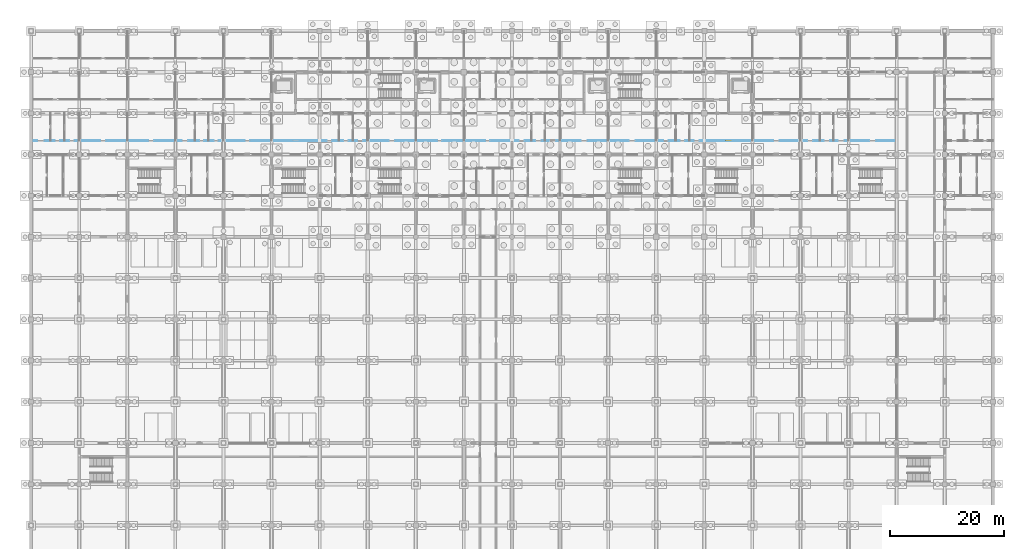
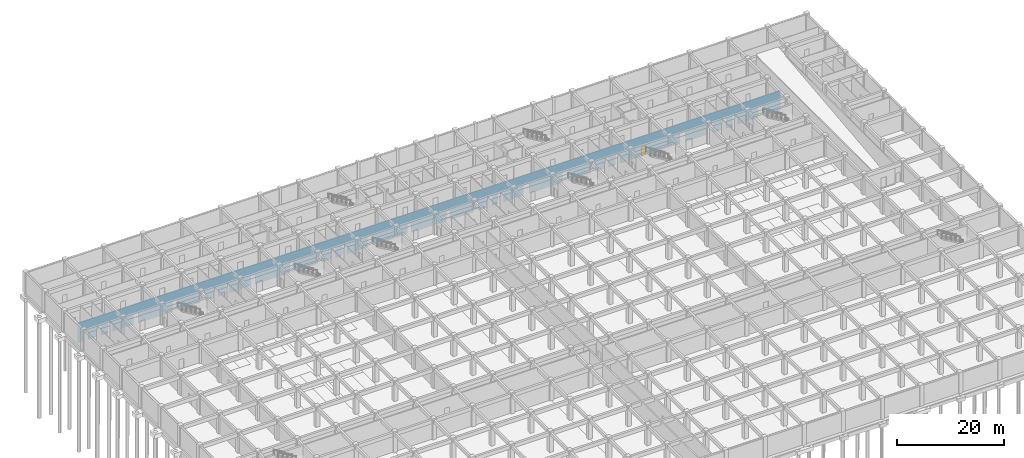
# One storey, part 65 of 85: 1 door, 30 openings, plus 1 element that does not belong to this part.
"""IFC4 building model written with IfcOpenShell, lengths in metres."""

from ifc_helpers import new_model, si_unit, direction, frame, frame_2d, origin, place, context, subcontext, project, spatial, rectangle, extrude, material, layer, layer_set, type_object, element, fill, save


model = new_model("IFC4")

# Units and contexts
model_context = context("Model", 3, precision=1e-05, world=origin(), true_north=direction((0.0, 1.0)))
body_context = subcontext(model_context, "Body", "Model", "MODEL_VIEW")
ifc_project = project(units=[si_unit("LENGTHUNIT", "METRE"), si_unit("AREAUNIT", "SQUARE_METRE"), si_unit("VOLUMEUNIT", "CUBIC_METRE"), si_unit("PLANEANGLEUNIT", "RADIAN"), si_unit("MASSUNIT", "GRAM", prefix="KILO")], contexts=[model_context])

# Site, building, storey
site_placement = place(None, origin())
site = spatial("IfcSite", under=ifc_project, at=site_placement, CompositionType="ELEMENT")
building_placement = place(site_placement, origin())
building = spatial("IfcBuilding", under=site, at=building_placement, Name="Chengyuan Square Courthouse", CompositionType="ELEMENT")
storey_placement = place(building_placement, frame((0.0, 0.0, -10.199951171875)))
storey = spatial("IfcBuildingStorey", under=building, at=storey_placement, Name="B02", CompositionType="ELEMENT", Elevation=-10.199951171875)

# Wall, openings, door
ifc_material_1 = material(Name="Gypsum Plasterboard Acoustic Stud Partition")
ifc_layer = layer(ifc_material_1, 0.10009765625)
ifc_layer_set = layer_set([ifc_layer], Name="Gypsum Plasterboard Acoustic Stud Partition")
wall_type = type_object("IfcWallType", Name="WL-PT6", PredefinedType="STANDARD", material=ifc_layer_set)
wall_placement = place(storey_placement, frame((0.0400390625, 96.0, 0.0), z_axis=(0.0, 0.0, 1.0), x_axis=(1.0, 0.0, 0.0)))
wall = element("IfcWall", 1, at=wall_placement, inside=storey, type_object=wall_type, Name="Interior Wall WL-B02-I062", PredefinedType="STANDARD", context=body_context, shape_type="SweptSolid", body=[
    extrude(rectangle(XDim=151.159912109375, YDim=0.10009765625, at=frame_2d((75.580078125, 0.0))), origin(), (0.0, 0.0, 1.0), 4.47998046875),
])
opening_1_placement = place(wall_placement, frame((1.0400390625, 0.0, 0.0)))
element("IfcOpeningElement", 2, at=opening_1_placement, cuts=wall, Name="Opening DR-148", PredefinedType="OPENING", context=body_context, shape_type="SweptSolid", body=[
    extrude(rectangle(XDim=1.280029296875, YDim=2.35009765625, at=frame_2d((0.64013671875, 1.175048828125))), frame((0.0, 0.06201171875, 0.0), z_axis=(0.0, -1.0, 0.0), x_axis=(1.0, 0.0, 0.0)), (0.0, 0.0, 1.0), 0.1240234375),
])
opening_2_placement = place(wall_placement, frame((4.090087890625, 0.0, 0.0)))
element("IfcOpeningElement", 3, at=opening_2_placement, cuts=wall, Name="Opening DR-149", PredefinedType="OPENING", context=body_context, shape_type="SweptSolid", body=[
    extrude(rectangle(XDim=0.93994140625, YDim=2.300048828125, at=frame_2d((0.469970703125, 1.14990234375))), frame((0.0, 0.06201171875, 0.0), z_axis=(0.0, -1.0, 0.0), x_axis=(1.0, 0.0, 0.0)), (0.0, 0.0, 1.0), 0.1240234375),
])
opening_3_placement = place(wall_placement, frame((6.570068359375, 0.0, 0.0)))
element("IfcOpeningElement", 4, at=opening_3_placement, cuts=wall, Name="Opening DR-150", PredefinedType="OPENING", context=body_context, shape_type="SweptSolid", body=[
    extrude(rectangle(XDim=0.97998046875, YDim=2.35009765625, at=frame_2d((0.489990234375, 1.175048828125))), frame((0.0, 0.06201171875, 0.0), z_axis=(0.0, -1.0, 0.0), x_axis=(1.0, 0.0, 0.0)), (0.0, 0.0, 1.0), 0.1240234375),
])
opening_4_placement = place(wall_placement, frame((12.050048828125, 0.0, 0.0)))
element("IfcOpeningElement", 5, at=opening_4_placement, cuts=wall, Name="Opening DR-151", PredefinedType="OPENING", context=body_context, shape_type="SweptSolid", body=[
    extrude(rectangle(XDim=1.02001953125, YDim=2.39990234375, at=frame_2d((0.510009765625, 1.199951171875))), frame((0.0, 0.06201171875, 0.0), z_axis=(0.0, -1.0, 0.0), x_axis=(1.0, 0.0, 0.0)), (0.0, 0.0, 1.0), 0.1240234375),
])
opening_5_placement = place(wall_placement, frame((20.429931640625, 0.0, 0.0)))
element("IfcOpeningElement", 6, at=opening_5_placement, cuts=wall, Name="Opening DR-152", PredefinedType="OPENING", context=body_context, shape_type="SweptSolid", body=[
    extrude(rectangle(XDim=1.06005859375, YDim=2.39990234375, at=frame_2d((0.530029296875, 1.199951171875))), frame((0.0, 0.06201171875, 0.0), z_axis=(0.0, -1.0, 0.0), x_axis=(1.0, 0.0, 0.0)), (0.0, 0.0, 1.0), 0.1240234375),
])
opening_6_placement = place(wall_placement, frame((26.2900390625, 0.0, 0.0)))
element("IfcOpeningElement", 7, at=opening_6_placement, cuts=wall, Name="Opening DR-153", PredefinedType="OPENING", context=body_context, shape_type="SweptSolid", body=[
    extrude(rectangle(XDim=1.139892578125, YDim=2.39990234375, at=frame_2d((0.56982421875, 1.199951171875))), frame((0.0, 0.06201171875, 0.0), z_axis=(0.0, -1.0, 0.0), x_axis=(1.0, 0.0, 0.0)), (0.0, 0.0, 1.0), 0.1240234375),
])
opening_7_placement = place(wall_placement, frame((29.31005859375, 0.0, 0.0)))
element("IfcOpeningElement", 8, at=opening_7_placement, cuts=wall, Name="Opening DR-154", PredefinedType="OPENING", context=body_context, shape_type="SweptSolid", body=[
    extrude(rectangle(XDim=0.89990234375, YDim=2.14990234375, at=frame_2d((0.449951171875, 1.074951171875))), frame((0.0, 0.06201171875, 0.0), z_axis=(0.0, -1.0, 0.0), x_axis=(1.0, 0.0, 0.0)), (0.0, 0.0, 1.0), 0.1240234375),
])
opening_8_placement = place(wall_placement, frame((31.830078125, 0.0, 0.0)))
element("IfcOpeningElement", 9, at=opening_8_placement, cuts=wall, Name="Opening DR-155", PredefinedType="OPENING", context=body_context, shape_type="SweptSolid", body=[
    extrude(rectangle(XDim=0.860107421875, YDim=2.10009765625, at=frame_2d((0.43017578125, 1.050048828125))), frame((0.0, 0.06201171875, 0.0), z_axis=(0.0, -1.0, 0.0), x_axis=(1.0, 0.0, 0.0)), (0.0, 0.0, 1.0), 0.1240234375),
])
opening_9_placement = place(wall_placement, frame((37.300048828125, 0.0, 0.0)))
element("IfcOpeningElement", 10, at=opening_9_placement, cuts=wall, Name="Opening DR-156", PredefinedType="OPENING", context=body_context, shape_type="SweptSolid", body=[
    extrude(rectangle(XDim=0.919921875, YDim=2.14990234375, at=frame_2d((0.4599609375, 1.074951171875))), frame((0.0, 0.06201171875, 0.0), z_axis=(0.0, -1.0, 0.0), x_axis=(1.0, 0.0, 0.0)), (0.0, 0.0, 1.0), 0.1240234375),
])
opening_10_placement = place(wall_placement, frame((45.679931640625, 0.0, 0.0)))
element("IfcOpeningElement", 11, at=opening_10_placement, cuts=wall, Name="Opening DR-157", PredefinedType="OPENING", context=body_context, shape_type="SweptSolid", body=[
    extrude(rectangle(XDim=0.9599609375, YDim=2.199951171875, at=frame_2d((0.47998046875, 1.10009765625))), frame((0.0, 0.06201171875, 0.0), z_axis=(0.0, -1.0, 0.0), x_axis=(1.0, 0.0, 0.0)), (0.0, 0.0, 1.0), 0.1240234375),
])
opening_11_placement = place(wall_placement, frame((51.570068359375, 0.0, 0.0)))
element("IfcOpeningElement", 12, at=opening_11_placement, cuts=wall, Name="Opening DR-167", PredefinedType="OPENING", context=body_context, shape_type="SweptSolid", body=[
    extrude(rectangle(XDim=0.97998046875, YDim=2.35009765625, at=frame_2d((0.489990234375, 1.175048828125))), frame((0.0, 0.06201171875, 0.0), z_axis=(0.0, -1.0, 0.0), x_axis=(1.0, 0.0, 0.0)), (0.0, 0.0, 1.0), 0.1240234375),
])
opening_12_placement = place(wall_placement, frame((54.449951171875, 0.0, 0.0)))
element("IfcOpeningElement", 13, at=opening_12_placement, cuts=wall, Name="Opening DR-168", PredefinedType="OPENING", context=body_context, shape_type="SweptSolid", body=[
    extrude(rectangle(XDim=1.02001953125, YDim=2.39990234375, at=frame_2d((0.510009765625, 1.199951171875))), frame((0.0, 0.06201171875, 0.0), z_axis=(0.0, -1.0, 0.0), x_axis=(1.0, 0.0, 0.0)), (0.0, 0.0, 1.0), 0.1240234375),
])
opening_13_placement = place(wall_placement, frame((56.929931640625, 0.0, 0.0)))
element("IfcOpeningElement", 14, at=opening_13_placement, cuts=wall, Name="Opening DR-169", PredefinedType="OPENING", context=body_context, shape_type="SweptSolid", body=[
    extrude(rectangle(XDim=1.06005859375, YDim=2.39990234375, at=frame_2d((0.530029296875, 1.199951171875))), frame((0.0, 0.06201171875, 0.0), z_axis=(0.0, -1.0, 0.0), x_axis=(1.0, 0.0, 0.0)), (0.0, 0.0, 1.0), 0.1240234375),
])
opening_14_placement = place(wall_placement, frame((62.389892578125, 0.0, 0.0)))
element("IfcOpeningElement", 15, at=opening_14_placement, cuts=wall, Name="Opening DR-170", PredefinedType="OPENING", context=body_context, shape_type="SweptSolid", body=[
    extrude(rectangle(XDim=1.139892578125, YDim=2.39990234375, at=frame_2d((0.56982421875, 1.199951171875))), frame((0.0, 0.06201171875, 0.0), z_axis=(0.0, -1.0, 0.0), x_axis=(1.0, 0.0, 0.0)), (0.0, 0.0, 1.0), 0.1240234375),
])
opening_15_placement = place(wall_placement, frame((70.909912109375, 0.0, 0.0)))
element("IfcOpeningElement", 16, at=opening_15_placement, cuts=wall, Name="Opening DR-171", PredefinedType="OPENING", context=body_context, shape_type="SweptSolid", body=[
    extrude(rectangle(XDim=0.89990234375, YDim=2.14990234375, at=frame_2d((0.449951171875, 1.074951171875))), frame((0.0, 0.06201171875, 0.0), z_axis=(0.0, -1.0, 0.0), x_axis=(1.0, 0.0, 0.0)), (0.0, 0.0, 1.0), 0.1240234375),
])
opening_16_placement = place(wall_placement, frame((79.330078125, 0.0, 0.0)))
element("IfcOpeningElement", 17, at=opening_16_placement, cuts=wall, Name="Opening DR-172", PredefinedType="OPENING", context=body_context, shape_type="SweptSolid", body=[
    extrude(rectangle(XDim=0.860107421875, YDim=2.10009765625, at=frame_2d((0.43017578125, 1.050048828125))), frame((0.0, 0.06201171875, 0.0), z_axis=(0.0, -1.0, 0.0), x_axis=(1.0, 0.0, 0.0)), (0.0, 0.0, 1.0), 0.1240234375),
])
opening_17_placement = place(wall_placement, frame((85.10009765625, 0.0, 0.0)))
element("IfcOpeningElement", 18, at=opening_17_placement, cuts=wall, Name="Opening DR-178", PredefinedType="OPENING", context=body_context, shape_type="SweptSolid", body=[
    extrude(rectangle(XDim=1.1201171875, YDim=2.25, at=frame_2d((0.56005859375, 1.125))), frame((0.0, 0.06201171875, 0.0), z_axis=(0.0, -1.0, 0.0), x_axis=(1.0, 0.0, 0.0)), (0.0, 0.0, 1.0), 0.1240234375),
])
opening_18_placement = place(wall_placement, frame((87.97998046875, 0.0, 0.0)))
element("IfcOpeningElement", 19, at=opening_18_placement, cuts=wall, Name="Opening DR-179", PredefinedType="OPENING", context=body_context, shape_type="SweptSolid", body=[
    extrude(rectangle(XDim=1.159912109375, YDim=2.300048828125, at=frame_2d((0.580078125, 1.14990234375))), frame((0.0, 0.06201171875, 0.0), z_axis=(0.0, -1.0, 0.0), x_axis=(1.0, 0.0, 0.0)), (0.0, 0.0, 1.0), 0.1240234375),
])
opening_19_placement = place(wall_placement, frame((90.4599609375, 0.0, 0.0)))
element("IfcOpeningElement", 20, at=opening_19_placement, cuts=wall, Name="Opening DR-180", PredefinedType="OPENING", context=body_context, shape_type="SweptSolid", body=[
    extrude(rectangle(XDim=1.199951171875, YDim=2.35009765625, at=frame_2d((0.60009765625, 1.175048828125))), frame((0.0, 0.06201171875, 0.0), z_axis=(0.0, -1.0, 0.0), x_axis=(1.0, 0.0, 0.0)), (0.0, 0.0, 1.0), 0.1240234375),
])
opening_20_placement = place(wall_placement, frame((95.93994140625, 0.0, 0.0)))
element("IfcOpeningElement", 21, at=opening_20_placement, cuts=wall, Name="Opening DR-181", PredefinedType="OPENING", context=body_context, shape_type="SweptSolid", body=[
    extrude(rectangle(XDim=1.239990234375, YDim=2.300048828125, at=frame_2d((0.6201171875, 1.14990234375))), frame((0.0, 0.06201171875, 0.0), z_axis=(0.0, -1.0, 0.0), x_axis=(1.0, 0.0, 0.0)), (0.0, 0.0, 1.0), 0.1240234375),
])
opening_21_placement = place(wall_placement, frame((104.320068359375, 0.0, 0.0)))
element("IfcOpeningElement", 22, at=opening_21_placement, cuts=wall, Name="Opening DR-182", PredefinedType="OPENING", context=body_context, shape_type="SweptSolid", body=[
    extrude(rectangle(XDim=1.280029296875, YDim=2.35009765625, at=frame_2d((0.64013671875, 1.175048828125))), frame((0.0, 0.06201171875, 0.0), z_axis=(0.0, -1.0, 0.0), x_axis=(1.0, 0.0, 0.0)), (0.0, 0.0, 1.0), 0.1240234375),
])
opening_22_placement = place(wall_placement, frame((110.389892578125, 0.0, 0.0)))
element("IfcOpeningElement", 23, at=opening_22_placement, cuts=wall, Name="Opening DR-183", PredefinedType="OPENING", context=body_context, shape_type="SweptSolid", body=[
    extrude(rectangle(XDim=0.93994140625, YDim=2.300048828125, at=frame_2d((0.469970703125, 1.14990234375))), frame((0.0, 0.06201171875, 0.0), z_axis=(0.0, -1.0, 0.0), x_axis=(1.0, 0.0, 0.0)), (0.0, 0.0, 1.0), 0.1240234375),
])
opening_23_placement = place(wall_placement, frame((113.27001953125, 0.0, 0.0)))
element("IfcOpeningElement", 24, at=opening_23_placement, cuts=wall, Name="Opening DR-184", PredefinedType="OPENING", context=body_context, shape_type="SweptSolid", body=[
    extrude(rectangle(XDim=0.97998046875, YDim=2.35009765625, at=frame_2d((0.489990234375, 1.175048828125))), frame((0.0, 0.06201171875, 0.0), z_axis=(0.0, -1.0, 0.0), x_axis=(1.0, 0.0, 0.0)), (0.0, 0.0, 1.0), 0.1240234375),
])
opening_24_placement = place(wall_placement, frame((115.75, 0.0, 0.0)))
element("IfcOpeningElement", 25, at=opening_24_placement, cuts=wall, Name="Opening DR-185", PredefinedType="OPENING", context=body_context, shape_type="SweptSolid", body=[
    extrude(rectangle(XDim=1.02001953125, YDim=2.39990234375, at=frame_2d((0.510009765625, 1.199951171875))), frame((0.0, 0.06201171875, 0.0), z_axis=(0.0, -1.0, 0.0), x_axis=(1.0, 0.0, 0.0)), (0.0, 0.0, 1.0), 0.1240234375),
])
opening_25_placement = place(wall_placement, frame((121.239990234375, 0.0, 0.0)))
opening_25 = element("IfcOpeningElement", 26, at=opening_25_placement, cuts=wall, Name="Opening DR-193", PredefinedType="OPENING", context=body_context, shape_type="SweptSolid", body=[
    extrude(rectangle(XDim=1.0400390625, YDim=2.199951171875, at=frame_2d((0.52001953125, 1.10009765625))), frame((0.0, 0.06201171875, 0.0), z_axis=(0.0, -1.0, 0.0), x_axis=(1.0, 0.0, 0.0)), (0.0, 0.0, 1.0), 0.1240234375),
])
opening_26_placement = place(wall_placement, frame((129.6201171875, 0.0, 0.0)))
element("IfcOpeningElement", 27, at=opening_26_placement, cuts=wall, Name="Opening DR-194", PredefinedType="OPENING", context=body_context, shape_type="SweptSolid", body=[
    extrude(rectangle(XDim=1.080078125, YDim=2.25, at=frame_2d((0.5400390625, 1.125))), frame((0.0, 0.06201171875, 0.0), z_axis=(0.0, -1.0, 0.0), x_axis=(1.0, 0.0, 0.0)), (0.0, 0.0, 1.0), 0.1240234375),
])
opening_27_placement = place(wall_placement, frame((135.5, 0.0, 0.0)))
element("IfcOpeningElement", 28, at=opening_27_placement, cuts=wall, Name="Opening DR-195", PredefinedType="OPENING", context=body_context, shape_type="SweptSolid", body=[
    extrude(rectangle(XDim=1.1201171875, YDim=2.25, at=frame_2d((0.56005859375, 1.125))), frame((0.0, 0.06201171875, 0.0), z_axis=(0.0, -1.0, 0.0), x_axis=(1.0, 0.0, 0.0)), (0.0, 0.0, 1.0), 0.1240234375),
])
opening_28_placement = place(wall_placement, frame((138.3798828125, 0.0, 0.0)))
element("IfcOpeningElement", 29, at=opening_28_placement, cuts=wall, Name="Opening DR-196", PredefinedType="OPENING", context=body_context, shape_type="SweptSolid", body=[
    extrude(rectangle(XDim=1.159912109375, YDim=2.300048828125, at=frame_2d((0.580078125, 1.14990234375))), frame((0.0, 0.06201171875, 0.0), z_axis=(0.0, -1.0, 0.0), x_axis=(1.0, 0.0, 0.0)), (0.0, 0.0, 1.0), 0.1240234375),
])
opening_29_placement = place(wall_placement, frame((140.860107421875, 0.0, 0.0)))
element("IfcOpeningElement", 30, at=opening_29_placement, cuts=wall, Name="Opening DR-197", PredefinedType="OPENING", context=body_context, shape_type="SweptSolid", body=[
    extrude(rectangle(XDim=1.199951171875, YDim=2.35009765625, at=frame_2d((0.60009765625, 1.175048828125))), frame((0.0, 0.06201171875, 0.0), z_axis=(0.0, -1.0, 0.0), x_axis=(1.0, 0.0, 0.0)), (0.0, 0.0, 1.0), 0.1240234375),
])
opening_30_placement = place(wall_placement, frame((146.340087890625, 0.0, 0.0)))
element("IfcOpeningElement", 31, at=opening_30_placement, cuts=wall, Name="Opening DR-198", PredefinedType="OPENING", context=body_context, shape_type="SweptSolid", body=[
    extrude(rectangle(XDim=1.239990234375, YDim=2.300048828125, at=frame_2d((0.6201171875, 1.14990234375))), frame((0.0, 0.06201171875, 0.0), z_axis=(0.0, -1.0, 0.0), x_axis=(1.0, 0.0, 0.0)), (0.0, 0.0, 1.0), 0.1240234375),
])
ifc_material_2 = material(Name="Acoustic Solid-Core Timber Door", Category="wood")
door_type = type_object("IfcDoorType", Name="DT-32", OperationType="NOTDEFINED", PredefinedType="DOOR", material=ifc_material_2)
door_placement = place(opening_25_placement, origin())
door = element("IfcDoor", 32, at=door_placement, inside=storey, type_object=door_type, Name="Interior Door DR-193", OperationType="SINGLE_SWING_RIGHT", OverallHeight=2.199951171875, OverallWidth=1.0400390625, PredefinedType="DOOR", context=body_context, shape_type="SweptSolid", body=[
    extrude(rectangle(XDim=1.0400390625, YDim=2.199951171875, at=frame_2d((0.52001953125, 1.10009765625))), frame((0.0, 0.02490234375, 0.0), z_axis=(0.0, -1.0, 0.0), x_axis=(1.0, 0.0, 0.0)), (0.0, 0.0, 1.0), 0.050048828125),
])
fill(opening_25, door)

save(model, "model.ifc")
